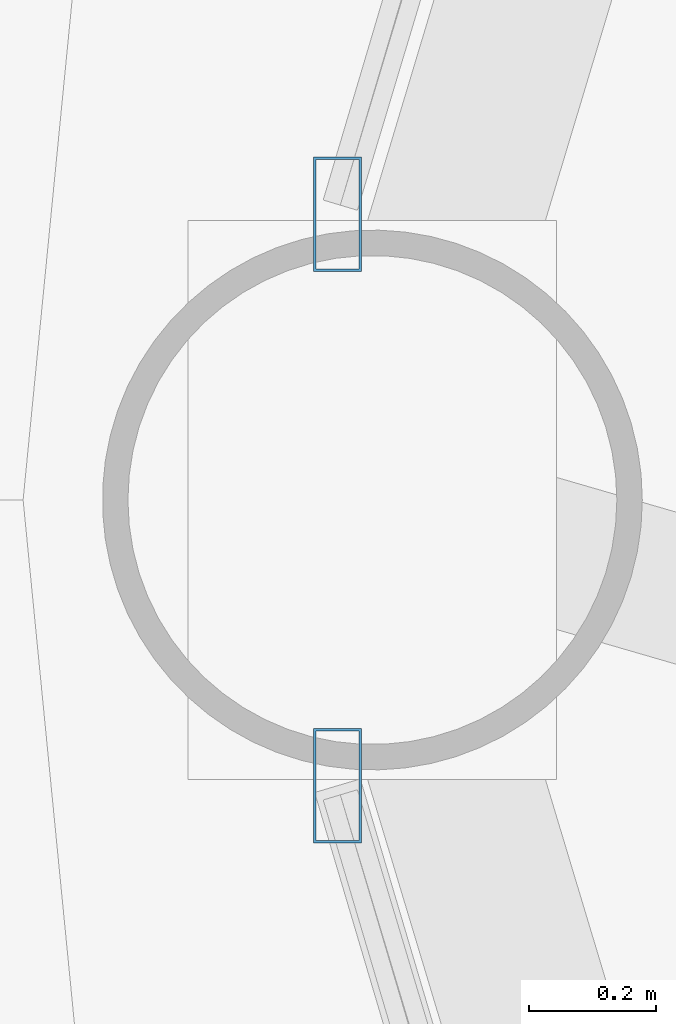
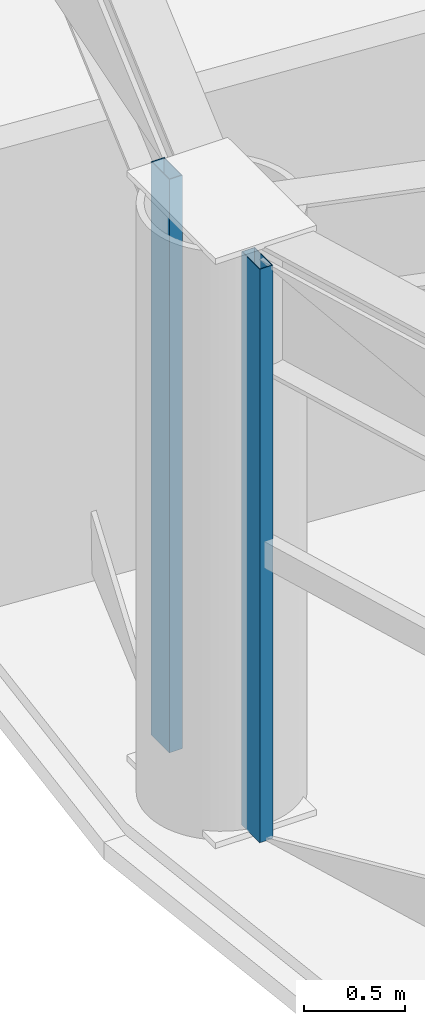
# One storey, part 6 of 31: 2 members, 2 elements without a shape of their own.
"""IFC4 building model written with IfcOpenShell, lengths in metres."""

from ifc_helpers import new_model, si_unit, direction, frame, origin, origin_2d, place, context, subcontext, project, spatial, hollow_rectangle, extrude, material, layer, layer_set, material_profile, profile_set, type_object, element, aggregate, save


model = new_model("IFC4")

# Units and contexts
model_context = context("Model", 3, precision=1e-05, world=origin(), true_north=direction((0.0, 1.0)))
body_context = subcontext(model_context, "Body", "Model", "MODEL_VIEW")
ifc_project = project(units=[si_unit("LENGTHUNIT", "METRE"), si_unit("AREAUNIT", "SQUARE_METRE"), si_unit("VOLUMEUNIT", "CUBIC_METRE"), si_unit("PLANEANGLEUNIT", "RADIAN"), si_unit("MASSUNIT", "GRAM", prefix="KILO")], contexts=[model_context])

# Site, building, storey
site_placement = place(None, origin())
site = spatial("IfcSite", under=ifc_project, at=site_placement, CompositionType="ELEMENT")
building_placement = place(site_placement, origin())
building = spatial("IfcBuilding", under=site, at=building_placement, Name="Vantalir Tower", CompositionType="ELEMENT")
storey_placement = place(building_placement, frame((0.0, 0.0, 34.5)))
storey = spatial("IfcBuildingStorey", under=building, at=storey_placement, Name="L07", CompositionType="ELEMENT", Elevation=34.5)

# Curtain wall, member
ifc_material_1 = material(Name="Champagne-silver PVDF aluminium and double-silver Low-E glass", Category="aluminium")
ifc_layer = layer(ifc_material_1, 0.18994140625)
ifc_layer_set = layer_set([ifc_layer], Name="Champagne-silver PVDF aluminium and double-silver Low-E glass")
curtain_wall_type = type_object("IfcCurtainWallType", Name="CW-DIAMOND-Z1", PredefinedType="USERDEFINED", material=ifc_layer_set)
curtain_wall_1_placement = place(storey_placement, origin())
curtain_wall_1 = element("IfcCurtainWall", 1, at=curtain_wall_1_placement, inside=storey, type_object=curtain_wall_type, Name="L07 Quilted Pyramid-Diamond Curtain Wall S06", ObjectType="UNITISED CURTAIN WALL", PredefinedType="USERDEFINED")
ifc_material_2 = material(Name="Champagne-silver PVDF aluminium 6063-T6", Category="aluminium")
ifc_material_profile = material_profile(ifc_material_2, hollow_rectangle(XDim=0.074951171875, YDim=0.179931640625, WallThickness=0.00390625, at=origin_2d()), Name="Champagne-silver PVDF aluminium 6063-T6")
ifc_profile_set = profile_set([ifc_material_profile], Name="Champagne-silver PVDF aluminium 6063-T6")
member_type = type_object("IfcMemberType", Name="CWM-180x75", PredefinedType="MULLION", material=ifc_profile_set)
member_1_placement = place(storey_placement, frame((5.9951171875, 25.449951171875, 0.044921875), z_axis=(0.0, 0.0, 1.0), x_axis=(1.0, 0.0, 0.0)))
member_1 = element("IfcMember", 2, at=member_1_placement, type_object=member_type, Name="CW-L07-S06 Mullion 2", PredefinedType="MULLION", context=body_context, shape_type="SweptSolid", body=[
    extrude(hollow_rectangle(XDim=0.074951171875, YDim=0.179931640625, WallThickness=0.00390625, at=origin_2d()), origin(), (0.0, 0.0, 1.0), 3.47998046875),
])
aggregate(curtain_wall_1, [member_1])

curtain_wall_2_placement = place(storey_placement, origin())
curtain_wall_2 = element("IfcCurtainWall", 3, at=curtain_wall_2_placement, inside=storey, type_object=curtain_wall_type, Name="L07 Quilted Pyramid-Diamond Curtain Wall S07", ObjectType="UNITISED CURTAIN WALL", PredefinedType="USERDEFINED")
member_2_placement = place(storey_placement, frame((5.9951171875, 24.550048828125, 0.044921875), z_axis=(0.0, 0.0, 1.0), x_axis=(1.0, 0.0, 0.0)))
member_2 = element("IfcMember", 4, at=member_2_placement, type_object=member_type, Name="CW-L07-S07 Mullion 1", PredefinedType="MULLION", context=body_context, shape_type="SweptSolid", body=[
    extrude(hollow_rectangle(XDim=0.074951171875, YDim=0.179931640625, WallThickness=0.00390625, at=origin_2d()), origin(), (0.0, 0.0, 1.0), 3.47998046875),
])
aggregate(curtain_wall_2, [member_2])

save(model, "model.ifc")
